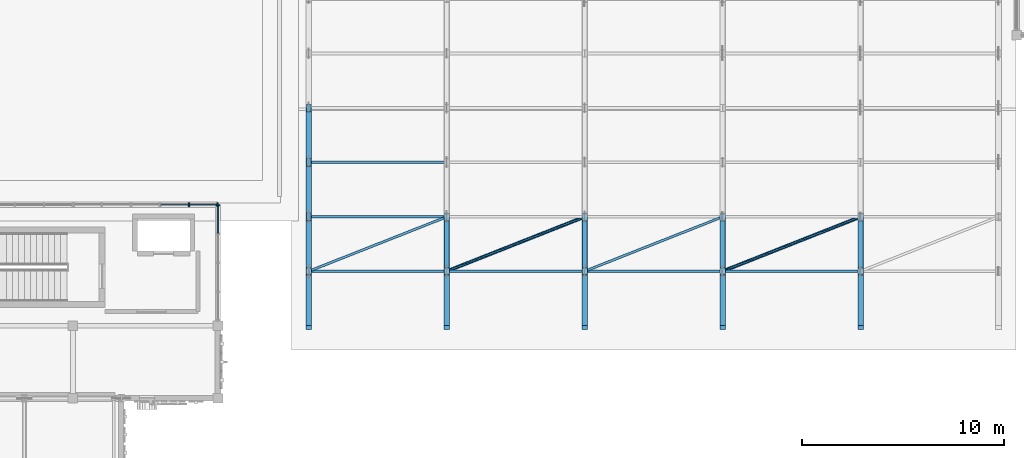
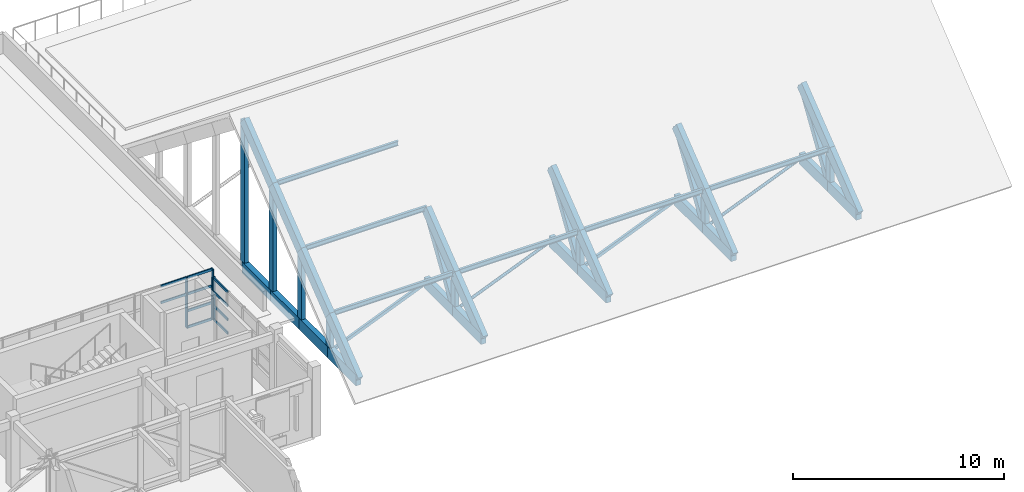
# One storey, part 16 of 79: 59 members, 2 elements without a shape of their own.
"""IFC4 building model written with IfcOpenShell, lengths in metres."""

from ifc_helpers import new_model, si_unit, direction, frame, origin, origin_2d, place, context, subcontext, project, spatial, rectangle, hollow_rectangle, hollow_circle, i_section, extrude, material, material_profile, profile_set, type_object, element, aggregate, save


model = new_model("IFC4")

# Units and contexts
model_context = context("Model", 3, precision=1e-05, world=origin(), true_north=direction((0.0, 1.0)))
body_context = subcontext(model_context, "Body", "Model", "MODEL_VIEW")
ifc_project = project(units=[si_unit("LENGTHUNIT", "METRE"), si_unit("AREAUNIT", "SQUARE_METRE"), si_unit("VOLUMEUNIT", "CUBIC_METRE"), si_unit("PLANEANGLEUNIT", "RADIAN"), si_unit("MASSUNIT", "GRAM", prefix="KILO")], contexts=[model_context])

# Site, building, storey
site_placement = place(None, origin())
site = spatial("IfcSite", under=ifc_project, at=site_placement, CompositionType="ELEMENT")
building_placement = place(site_placement, origin())
building = spatial("IfcBuilding", under=site, at=building_placement, Name="Nzembalo Square Collegiate School", CompositionType="ELEMENT")
storey_placement = place(building_placement, frame((0.0, 0.0, 9.52001953125)))
storey = spatial("IfcBuildingStorey", under=building, at=storey_placement, Name="L02", CompositionType="ELEMENT", Elevation=9.52001953125)

# Curtain wall, members
ifc_material_1 = material(Name="Aluminium 6060-T66", Category="aluminium")
curtain_wall_type_1 = type_object("IfcCurtainWallType", Name="CW-09", PredefinedType="USERDEFINED", material=ifc_material_1)
curtain_wall_1_placement = place(storey_placement, origin())
curtain_wall_1 = element("IfcCurtainWall", 1, at=curtain_wall_1_placement, inside=storey, type_object=curtain_wall_type_1, Name="Curtain wall CW-09 cw:L02:108", ObjectType="UNITISED", PredefinedType="USERDEFINED")
ifc_material_2 = material(Name="Aluminium 6060-T66", Category="aluminium")
ifc_material_profile_1 = material_profile(ifc_material_2, rectangle(XDim=0.06005859375, YDim=0.179931640625, at=origin_2d()), Name="ALU M60x180")
ifc_profile_set_1 = profile_set([ifc_material_profile_1], Name="Aluminium 6060-T66")
member_type_1 = type_object("IfcMemberType", Name="ML01", PredefinedType="MULLION", material=ifc_profile_set_1)
member_1_placement = place(storey_placement, frame((35.760009765625, 88.800048828125, 0.85009765625), z_axis=(0.0, 0.0, 1.0), x_axis=(1.0, 0.0, 0.0)))
member_1 = element("IfcMember", 2, at=member_1_placement, type_object=member_type_1, Name="ML01 mullion 5", PredefinedType="MULLION", context=body_context, shape_type="SweptSolid", body=[
    extrude(rectangle(XDim=0.06005859375, YDim=0.179931640625, at=origin_2d()), origin(), (0.0, 0.0, 1.0), 2.923828125),
])
member_2_placement = place(storey_placement, frame((37.169921875, 88.800048828125, 0.85009765625), z_axis=(0.0, 0.0, 1.0), x_axis=(1.0, 0.0, 0.0)))
member_2 = element("IfcMember", 3, at=member_2_placement, type_object=member_type_1, Name="ML01 mullion 6", PredefinedType="MULLION", context=body_context, shape_type="SweptSolid", body=[
    extrude(rectangle(XDim=0.06005859375, YDim=0.179931640625, at=origin_2d()), origin(), (0.0, 0.0, 1.0), 2.923828125),
])

# Curtain wall, member
ifc_material_3 = material(Name="Aluminium 6060-T66", Category="aluminium")
curtain_wall_type_2 = type_object("IfcCurtainWallType", Name="CW-06", PredefinedType="USERDEFINED", material=ifc_material_3)
curtain_wall_2_placement = place(storey_placement, origin())
curtain_wall_2 = element("IfcCurtainWall", 4, at=curtain_wall_2_placement, inside=storey, type_object=curtain_wall_type_2, Name="Curtain wall CW-06 cw:L02:109", ObjectType="LANCET", PredefinedType="USERDEFINED")
member_3_placement = place(storey_placement, frame((37.199951171875, 88.77001953125, 0.85009765625), z_axis=(0.0, 0.0, 1.0), x_axis=(0.0, 1.0, 0.0)))
member_3 = element("IfcMember", 5, at=member_3_placement, type_object=member_type_1, Name="ML01 mullion 5", PredefinedType="MULLION", context=body_context, shape_type="SweptSolid", body=[
    extrude(rectangle(XDim=0.06005859375, YDim=0.179931640625, at=origin_2d()), origin(), (0.0, 0.0, 1.0), 2.448974609375),
])

# Member
ifc_material_4 = material(Name="Aluminium 6060-T66", Category="aluminium")
ifc_material_profile_2 = material_profile(ifc_material_4, rectangle(XDim=0.06005859375, YDim=0.139892578125, at=origin_2d()), Name="ALU T60x140")
ifc_profile_set_2 = profile_set([ifc_material_profile_2], Name="Aluminium 6060-T66")
member_type_2 = type_object("IfcMemberType", Name="TR01", PredefinedType="USERDEFINED", material=ifc_profile_set_2)
member_4_placement = place(storey_placement, frame((35.7900390625, 88.800048828125, 0.8798828125), z_axis=(1.0, 0.0, 0.0), x_axis=(0.0, 1.0, 0.0)))
member_4 = element("IfcMember", 6, at=member_4_placement, type_object=member_type_2, Name="TR01 transom 1-5", ObjectType="TRANSOM", PredefinedType="USERDEFINED", context=body_context, shape_type="SweptSolid", body=[
    extrude(rectangle(XDim=0.06005859375, YDim=0.139892578125, at=origin_2d()), origin(), (0.0, 0.0, 1.0), 1.349853515625),
])

member_5_placement = place(storey_placement, frame((35.7900390625, 88.800048828125, 1.82470703125), z_axis=(1.0, 0.0, 0.0), x_axis=(0.0, 1.0, 0.0)))
member_5 = element("IfcMember", 7, at=member_5_placement, type_object=member_type_2, Name="TR01 transom 2-5", ObjectType="TRANSOM", PredefinedType="USERDEFINED", context=body_context, shape_type="SweptSolid", body=[
    extrude(rectangle(XDim=0.06005859375, YDim=0.139892578125, at=origin_2d()), origin(), (0.0, 0.0, 1.0), 1.349853515625),
])

member_6_placement = place(storey_placement, frame((34.35009765625, 88.800048828125, 2.79931640625), z_axis=(1.0, 0.0, 0.0), x_axis=(0.0, 1.0, 0.0)))
member_6 = element("IfcMember", 8, at=member_6_placement, type_object=member_type_2, Name="TR01 transom 3-4", ObjectType="TRANSOM", PredefinedType="USERDEFINED", context=body_context, shape_type="SweptSolid", body=[
    extrude(rectangle(XDim=0.06005859375, YDim=0.139892578125, at=origin_2d()), origin(), (0.0, 0.0, 1.0), 1.3798828125),
])

member_7_placement = place(storey_placement, frame((35.7900390625, 88.800048828125, 2.79931640625), z_axis=(1.0, 0.0, 0.0), x_axis=(0.0, 1.0, 0.0)))
member_7 = element("IfcMember", 9, at=member_7_placement, type_object=member_type_2, Name="TR01 transom 3-5", ObjectType="TRANSOM", PredefinedType="USERDEFINED", context=body_context, shape_type="SweptSolid", body=[
    extrude(rectangle(XDim=0.06005859375, YDim=0.139892578125, at=origin_2d()), origin(), (0.0, 0.0, 1.0), 1.349853515625),
])

member_8_placement = place(storey_placement, frame((34.35009765625, 88.800048828125, 3.743896484375), z_axis=(1.0, 0.0, 0.0), x_axis=(0.0, 1.0, 0.0)))
member_8 = element("IfcMember", 10, at=member_8_placement, type_object=member_type_2, Name="TR01 transom 4-4", ObjectType="TRANSOM", PredefinedType="USERDEFINED", context=body_context, shape_type="SweptSolid", body=[
    extrude(rectangle(XDim=0.06005859375, YDim=0.139892578125, at=origin_2d()), origin(), (0.0, 0.0, 1.0), 1.3798828125),
])

member_9_placement = place(storey_placement, frame((35.7900390625, 88.800048828125, 3.743896484375), z_axis=(1.0, 0.0, 0.0), x_axis=(0.0, 1.0, 0.0)))
member_9 = element("IfcMember", 11, at=member_9_placement, type_object=member_type_2, Name="TR01 transom 4-5", ObjectType="TRANSOM", PredefinedType="USERDEFINED", context=body_context, shape_type="SweptSolid", body=[
    extrude(rectangle(XDim=0.06005859375, YDim=0.139892578125, at=origin_2d()), origin(), (0.0, 0.0, 1.0), 1.349853515625),
])

aggregate(curtain_wall_1, [member_1, member_2, member_4, member_5, member_6, member_7, member_8, member_9])

member_10_placement = place(storey_placement, frame((37.199951171875, 87.390380859375, 0.8798828125), z_axis=(0.0, 1.0, 0.0), x_axis=(-1.0, 0.0, 0.0)))
member_10 = element("IfcMember", 12, at=member_10_placement, type_object=member_type_2, Name="TR01 transom 1-4", ObjectType="TRANSOM", PredefinedType="USERDEFINED", context=body_context, shape_type="SweptSolid", body=[
    extrude(rectangle(XDim=0.06005859375, YDim=0.139892578125, at=origin_2d()), origin(), (0.0, 0.0, 1.0), 1.349609375),
])

member_11_placement = place(storey_placement, frame((37.199951171875, 87.390380859375, 1.666259765625), z_axis=(0.0, 1.0, 0.0), x_axis=(-1.0, 0.0, 0.0)))
member_11 = element("IfcMember", 13, at=member_11_placement, type_object=member_type_2, Name="TR01 transom 2-4", ObjectType="TRANSOM", PredefinedType="USERDEFINED", context=body_context, shape_type="SweptSolid", body=[
    extrude(rectangle(XDim=0.06005859375, YDim=0.139892578125, at=origin_2d()), origin(), (0.0, 0.0, 1.0), 1.349609375),
])

member_12_placement = place(storey_placement, frame((37.199951171875, 87.390380859375, 2.482666015625), z_axis=(0.0, 1.0, 0.0), x_axis=(-1.0, 0.0, 0.0)))
member_12 = element("IfcMember", 14, at=member_12_placement, type_object=member_type_2, Name="TR01 transom 3-4", ObjectType="TRANSOM", PredefinedType="USERDEFINED", context=body_context, shape_type="SweptSolid", body=[
    extrude(rectangle(XDim=0.06005859375, YDim=0.139892578125, at=origin_2d()), origin(), (0.0, 0.0, 1.0), 1.349609375),
])

member_13_placement = place(storey_placement, frame((37.199951171875, 87.390380859375, 3.26904296875), z_axis=(0.0, 1.0, 0.0), x_axis=(-1.0, 0.0, 0.0)))
member_13 = element("IfcMember", 15, at=member_13_placement, type_object=member_type_2, Name="TR01 transom 4-4", ObjectType="TRANSOM", PredefinedType="USERDEFINED", context=body_context, shape_type="SweptSolid", body=[
    extrude(rectangle(XDim=0.06005859375, YDim=0.139892578125, at=origin_2d()), origin(), (0.0, 0.0, 1.0), 1.349609375),
])

aggregate(curtain_wall_2, [member_3, member_10, member_11, member_12, member_13])

# Members
ifc_material_5 = material(Name="Steel S355", Category="steel")
ifc_material_profile_3 = material_profile(ifc_material_5, hollow_circle(Radius=0.083984375, WallThickness=0.008056640625, at=origin_2d()), Name="CHS 168x8")
ifc_profile_set_3 = profile_set([ifc_material_profile_3], Name="Steel S355")
member_type_3 = type_object("IfcMemberType", Name="BR01", PredefinedType="BRACE", material=ifc_profile_set_3)
member_14_placement = place(storey_placement, frame((48.5400390625, 85.5, -0.60009765625), z_axis=(0.930154624551, 0.367168046577, 0.0), x_axis=(-0.367168046577, 0.930154624551, 0.0)))
element("IfcMember", 16, at=member_14_placement, inside=storey, type_object=member_type_3, Name="Roof wind brace BR01 GT-DH1-03-1", PredefinedType="BRACE", context=body_context, shape_type="SweptSolid", body=[
    extrude(hollow_circle(Radius=0.083984375, WallThickness=0.008056640625, at=origin_2d()), origin(), (0.0, 0.0, 1.0), 7.353515625),
])
member_15_placement = place(storey_placement, frame((62.219970703125, 85.5, -0.60009765625), z_axis=(0.930159100227, 0.367156708049, 0.0), x_axis=(-0.367156708049, 0.930159100227, 0.0)))
element("IfcMember", 17, at=member_15_placement, inside=storey, type_object=member_type_3, Name="Roof wind brace BR01 GT-DH1-05-1", PredefinedType="BRACE", context=body_context, shape_type="SweptSolid", body=[
    extrude(hollow_circle(Radius=0.083984375, WallThickness=0.008056640625, at=origin_2d()), origin(), (0.0, 0.0, 1.0), 7.353759765625),
])
ifc_material_6 = material(Name="Steel S355", Category="steel")
ifc_material_profile_4 = material_profile(ifc_material_6, hollow_rectangle(XDim=0.1201171875, YDim=0.199951171875, WallThickness=0.008056640625, at=origin_2d()), Name="RHS 200x120x8")
ifc_profile_set_4 = profile_set([ifc_material_profile_4], Name="Steel S355")
member_type_4 = type_object("IfcMemberType", Name="BR02", PredefinedType="BRACE", material=ifc_profile_set_4)
for number, where, z_axis, x_axis, name in (
    (18, (41.699951171875, 85.5, -0.60009765625), (0.930159100227, 0.367156708049, 0.0), (-0.367156708049, 0.930159100227, 0.0), "Roof wind brace BR02 GT-DH1-02-1"),
    (19, (55.3798828125, 85.5, -0.60009765625), (0.930159100227, 0.367156708049, 0.0), (-0.367156708049, 0.930159100227, 0.0), "Roof wind brace BR02 GT-DH1-04-1"),
):
    element("IfcMember", number, at=place(storey_placement, frame(where, z_axis=z_axis, x_axis=x_axis)), inside=storey, type_object=member_type_4, Name=name, PredefinedType="BRACE", context=body_context, shape_type="SweptSolid", body=[
        extrude(hollow_rectangle(XDim=0.1201171875, YDim=0.199951171875, WallThickness=0.008056640625, at=origin_2d()), origin(), (0.0, 0.0, 1.0), 7.353759765625),
    ])
ifc_material_7 = material(Name="Steel S355", Category="steel")
ifc_material_profile_5 = material_profile(ifc_material_7, i_section(OverallWidth=0.135009765625, OverallDepth=0.27001953125, WebThickness=0.006591796875, FlangeThickness=0.01025390625, at=origin_2d()), Name="IPE 270")
ifc_profile_set_5 = profile_set([ifc_material_profile_5], Name="Steel S355")
member_type_5 = type_object("IfcMemberType", Name="PR02", PredefinedType="PURLIN", material=ifc_profile_set_5)
for number, where, z_axis, x_axis, name in (
    (20, (41.699951171875, 85.5, 1.56494140625), (1.0, 0.0, 0.0), (0.0, 1.0, 0.0), "Roof purlin PR02 GT-DH1-02-1"),
    (21, (41.699951171875, 88.199951171875, 3.68505859375), (1.0, 0.0, 0.0), (0.0, 1.0, 0.0), "Roof purlin PR02 GT-DH1-02-2"),
    (22, (41.699951171875, 90.89990234375, 5.804931640625), (1.0, 0.0, 0.0), (0.0, 1.0, 0.0), "Roof purlin PR02 GT-DH1-02-3"),
):
    element("IfcMember", number, at=place(storey_placement, frame(where, z_axis=z_axis, x_axis=x_axis)), inside=storey, type_object=member_type_5, Name=name, PredefinedType="PURLIN", context=body_context, shape_type="SweptSolid", body=[
        extrude(i_section(OverallWidth=0.135009765625, OverallDepth=0.27001953125, WebThickness=0.006591796875, FlangeThickness=0.01025390625, at=origin_2d()), origin(), (0.0, 0.0, 1.0), 6.840087890625),
    ])
member_16_placement = place(storey_placement, frame((48.5400390625, 85.5, 1.56494140625), z_axis=(1.0, 0.0, 0.0), x_axis=(0.0, 1.0, 0.0)))
element("IfcMember", 23, at=member_16_placement, inside=storey, type_object=member_type_5, Name="Roof purlin PR02 GT-DH1-03-1", PredefinedType="PURLIN", context=body_context, shape_type="SweptSolid", body=[
    extrude(i_section(OverallWidth=0.135009765625, OverallDepth=0.27001953125, WebThickness=0.006591796875, FlangeThickness=0.01025390625, at=origin_2d()), origin(), (0.0, 0.0, 1.0), 6.83984375),
])
for number, where, z_axis, x_axis, name in (
    (24, (55.3798828125, 85.5, 1.56494140625), (1.0, 0.0, 0.0), (0.0, 1.0, 0.0), "Roof purlin PR02 GT-DH1-04-1"),
    (25, (62.219970703125, 85.5, 1.56494140625), (1.0, 0.0, 0.0), (0.0, 1.0, 0.0), "Roof purlin PR02 GT-DH1-05-1"),
):
    element("IfcMember", number, at=place(storey_placement, frame(where, z_axis=z_axis, x_axis=x_axis)), inside=storey, type_object=member_type_5, Name=name, PredefinedType="PURLIN", context=body_context, shape_type="SweptSolid", body=[
        extrude(i_section(OverallWidth=0.135009765625, OverallDepth=0.27001953125, WebThickness=0.006591796875, FlangeThickness=0.01025390625, at=origin_2d()), origin(), (0.0, 0.0, 1.0), 6.840087890625),
    ])
ifc_material_8 = material(Name="Glulam GL32h", Category="wood")
ifc_material_profile_6 = material_profile(ifc_material_8, rectangle(XDim=0.280029296875, YDim=0.639892578125, at=origin_2d()), Name="GL32h 280x640")
ifc_profile_set_6 = profile_set([ifc_material_profile_6], Name="Glulam GL32h")
member_type_6 = type_object("IfcMemberType", Name="TC02", PredefinedType="CHORD", material=ifc_profile_set_6)
member_17_placement = place(storey_placement, frame((41.699951171875, 82.800048828125, -0.60009765625), z_axis=(0.0, 0.786498457067, 0.617592241719), x_axis=(-1.0, 0.0, 0.0)))
element("IfcMember", 26, at=member_17_placement, inside=storey, type_object=member_type_6, Name="GT-DH1-01 top chord 1", PredefinedType="CHORD", context=body_context, shape_type="SweptSolid", body=[
    extrude(rectangle(XDim=0.280029296875, YDim=0.639892578125, at=origin_2d()), origin(), (0.0, 0.0, 1.0), 3.432861328125),
])
member_18_placement = place(storey_placement, frame((41.699951171875, 82.800048828125, -0.60009765625), z_axis=(0.0, 1.0, 0.0), x_axis=(-1.0, 0.0, 0.0)))
element("IfcMember", 27, at=member_18_placement, inside=storey, type_object=member_type_6, Name="GT-DH1-01 bottom chord 1", PredefinedType="CHORD", context=body_context, shape_type="SweptSolid", body=[
    extrude(rectangle(XDim=0.280029296875, YDim=0.639892578125, at=origin_2d()), origin(), (0.0, 0.0, 1.0), 2.699951171875),
])
member_19_placement = place(storey_placement, frame((41.699951171875, 85.5, 1.52001953125), z_axis=(0.0, 0.786533002077, 0.617548246409), x_axis=(-1.0, 0.0, 0.0)))
element("IfcMember", 28, at=member_19_placement, inside=storey, type_object=member_type_6, Name="GT-DH1-01 top chord 2", PredefinedType="CHORD", context=body_context, shape_type="SweptSolid", body=[
    extrude(rectangle(XDim=0.280029296875, YDim=0.639892578125, at=origin_2d()), origin(), (0.0, 0.0, 1.0), 3.4326171875),
])
member_20_placement = place(storey_placement, frame((41.699951171875, 85.5, -0.60009765625), z_axis=(0.0, 1.0, 0.0), x_axis=(-1.0, 0.0, 0.0)))
element("IfcMember", 29, at=member_20_placement, inside=storey, type_object=member_type_6, Name="GT-DH1-01 bottom chord 2", PredefinedType="CHORD", context=body_context, shape_type="SweptSolid", body=[
    extrude(rectangle(XDim=0.280029296875, YDim=0.639892578125, at=origin_2d()), origin(), (0.0, 0.0, 1.0), 2.699951171875),
])
member_21_placement = place(storey_placement, frame((41.699951171875, 88.199951171875, 3.639892578125), z_axis=(0.0, 0.786498457067, 0.617592241719), x_axis=(-1.0, 0.0, 0.0)))
element("IfcMember", 30, at=member_21_placement, inside=storey, type_object=member_type_6, Name="GT-DH1-01 top chord 3", PredefinedType="CHORD", context=body_context, shape_type="SweptSolid", body=[
    extrude(rectangle(XDim=0.280029296875, YDim=0.639892578125, at=origin_2d()), origin(), (0.0, 0.0, 1.0), 3.432861328125),
])
member_22_placement = place(storey_placement, frame((41.699951171875, 88.199951171875, -0.60009765625), z_axis=(0.0, 1.0, 0.0), x_axis=(-1.0, 0.0, 0.0)))
element("IfcMember", 31, at=member_22_placement, inside=storey, type_object=member_type_6, Name="GT-DH1-01 bottom chord 3", PredefinedType="CHORD", context=body_context, shape_type="SweptSolid", body=[
    extrude(rectangle(XDim=0.280029296875, YDim=0.639892578125, at=origin_2d()), origin(), (0.0, 0.0, 1.0), 2.699951171875),
])
member_23_placement = place(storey_placement, frame((41.699951171875, 90.89990234375, 5.760009765625), z_axis=(0.0, 0.786560123124, 0.617513702449), x_axis=(-1.0, 0.0, 0.0)))
element("IfcMember", 32, at=member_23_placement, inside=storey, type_object=member_type_6, Name="GT-DH1-01 top chord 4", PredefinedType="CHORD", context=body_context, shape_type="SweptSolid", body=[
    extrude(rectangle(XDim=0.280029296875, YDim=0.639892578125, at=origin_2d()), origin(), (0.0, 0.0, 1.0), 3.432861328125),
])
member_24_placement = place(storey_placement, frame((41.699951171875, 90.89990234375, -0.60009765625), z_axis=(0.0, 1.0, 0.0), x_axis=(-1.0, 0.0, 0.0)))
element("IfcMember", 33, at=member_24_placement, inside=storey, type_object=member_type_6, Name="GT-DH1-01 bottom chord 4", PredefinedType="CHORD", context=body_context, shape_type="SweptSolid", body=[
    extrude(rectangle(XDim=0.280029296875, YDim=0.639892578125, at=origin_2d()), origin(), (0.0, 0.0, 1.0), 2.7001953125),
])
member_25_placement = place(storey_placement, frame((48.5400390625, 82.800048828125, -0.60009765625), z_axis=(0.0, 0.786498457067, 0.617592241719), x_axis=(-1.0, 0.0, 0.0)))
element("IfcMember", 34, at=member_25_placement, inside=storey, type_object=member_type_6, Name="GT-DH1-02 top chord 1", PredefinedType="CHORD", context=body_context, shape_type="SweptSolid", body=[
    extrude(rectangle(XDim=0.280029296875, YDim=0.639892578125, at=origin_2d()), origin(), (0.0, 0.0, 1.0), 3.432861328125),
])
member_26_placement = place(storey_placement, frame((48.5400390625, 82.800048828125, -0.60009765625), z_axis=(0.0, 1.0, 0.0), x_axis=(-1.0, 0.0, 0.0)))
element("IfcMember", 35, at=member_26_placement, inside=storey, type_object=member_type_6, Name="GT-DH1-02 bottom chord 1", PredefinedType="CHORD", context=body_context, shape_type="SweptSolid", body=[
    extrude(rectangle(XDim=0.280029296875, YDim=0.639892578125, at=origin_2d()), origin(), (0.0, 0.0, 1.0), 2.699951171875),
])
member_27_placement = place(storey_placement, frame((48.5400390625, 85.5, 1.52001953125), z_axis=(0.0, 0.786533002077, 0.617548246409), x_axis=(-1.0, 0.0, 0.0)))
element("IfcMember", 36, at=member_27_placement, inside=storey, type_object=member_type_6, Name="GT-DH1-02 top chord 2", PredefinedType="CHORD", context=body_context, shape_type="SweptSolid", body=[
    extrude(rectangle(XDim=0.280029296875, YDim=0.639892578125, at=origin_2d()), origin(), (0.0, 0.0, 1.0), 3.4326171875),
])
member_28_placement = place(storey_placement, frame((48.5400390625, 85.5, -0.60009765625), z_axis=(0.0, 1.0, 0.0), x_axis=(-1.0, 0.0, 0.0)))
element("IfcMember", 37, at=member_28_placement, inside=storey, type_object=member_type_6, Name="GT-DH1-02 bottom chord 2", PredefinedType="CHORD", context=body_context, shape_type="SweptSolid", body=[
    extrude(rectangle(XDim=0.280029296875, YDim=0.639892578125, at=origin_2d()), origin(), (0.0, 0.0, 1.0), 2.699951171875),
])
member_29_placement = place(storey_placement, frame((55.3798828125, 82.800048828125, -0.60009765625), z_axis=(0.0, 0.786498457067, 0.617592241719), x_axis=(-1.0, 0.0, 0.0)))
element("IfcMember", 38, at=member_29_placement, inside=storey, type_object=member_type_6, Name="GT-DH1-03 top chord 1", PredefinedType="CHORD", context=body_context, shape_type="SweptSolid", body=[
    extrude(rectangle(XDim=0.280029296875, YDim=0.639892578125, at=origin_2d()), origin(), (0.0, 0.0, 1.0), 3.432861328125),
])
member_30_placement = place(storey_placement, frame((55.3798828125, 82.800048828125, -0.60009765625), z_axis=(0.0, 1.0, 0.0), x_axis=(-1.0, 0.0, 0.0)))
element("IfcMember", 39, at=member_30_placement, inside=storey, type_object=member_type_6, Name="GT-DH1-03 bottom chord 1", PredefinedType="CHORD", context=body_context, shape_type="SweptSolid", body=[
    extrude(rectangle(XDim=0.280029296875, YDim=0.639892578125, at=origin_2d()), origin(), (0.0, 0.0, 1.0), 2.699951171875),
])
member_31_placement = place(storey_placement, frame((55.3798828125, 85.5, 1.52001953125), z_axis=(0.0, 0.786533002077, 0.617548246409), x_axis=(-1.0, 0.0, 0.0)))
element("IfcMember", 40, at=member_31_placement, inside=storey, type_object=member_type_6, Name="GT-DH1-03 top chord 2", PredefinedType="CHORD", context=body_context, shape_type="SweptSolid", body=[
    extrude(rectangle(XDim=0.280029296875, YDim=0.639892578125, at=origin_2d()), origin(), (0.0, 0.0, 1.0), 3.4326171875),
])
member_32_placement = place(storey_placement, frame((55.3798828125, 85.5, -0.60009765625), z_axis=(0.0, 1.0, 0.0), x_axis=(-1.0, 0.0, 0.0)))
element("IfcMember", 41, at=member_32_placement, inside=storey, type_object=member_type_6, Name="GT-DH1-03 bottom chord 2", PredefinedType="CHORD", context=body_context, shape_type="SweptSolid", body=[
    extrude(rectangle(XDim=0.280029296875, YDim=0.639892578125, at=origin_2d()), origin(), (0.0, 0.0, 1.0), 2.699951171875),
])
member_33_placement = place(storey_placement, frame((62.219970703125, 82.800048828125, -0.60009765625), z_axis=(0.0, 0.786498457067, 0.617592241719), x_axis=(-1.0, 0.0, 0.0)))
element("IfcMember", 42, at=member_33_placement, inside=storey, type_object=member_type_6, Name="GT-DH1-04 top chord 1", PredefinedType="CHORD", context=body_context, shape_type="SweptSolid", body=[
    extrude(rectangle(XDim=0.280029296875, YDim=0.639892578125, at=origin_2d()), origin(), (0.0, 0.0, 1.0), 3.432861328125),
])
member_34_placement = place(storey_placement, frame((62.219970703125, 82.800048828125, -0.60009765625), z_axis=(0.0, 1.0, 0.0), x_axis=(-1.0, 0.0, 0.0)))
element("IfcMember", 43, at=member_34_placement, inside=storey, type_object=member_type_6, Name="GT-DH1-04 bottom chord 1", PredefinedType="CHORD", context=body_context, shape_type="SweptSolid", body=[
    extrude(rectangle(XDim=0.280029296875, YDim=0.639892578125, at=origin_2d()), origin(), (0.0, 0.0, 1.0), 2.699951171875),
])
member_35_placement = place(storey_placement, frame((62.219970703125, 85.5, 1.52001953125), z_axis=(0.0, 0.786533002077, 0.617548246409), x_axis=(-1.0, 0.0, 0.0)))
element("IfcMember", 44, at=member_35_placement, inside=storey, type_object=member_type_6, Name="GT-DH1-04 top chord 2", PredefinedType="CHORD", context=body_context, shape_type="SweptSolid", body=[
    extrude(rectangle(XDim=0.280029296875, YDim=0.639892578125, at=origin_2d()), origin(), (0.0, 0.0, 1.0), 3.4326171875),
])
member_36_placement = place(storey_placement, frame((62.219970703125, 85.5, -0.60009765625), z_axis=(0.0, 1.0, 0.0), x_axis=(-1.0, 0.0, 0.0)))
element("IfcMember", 45, at=member_36_placement, inside=storey, type_object=member_type_6, Name="GT-DH1-04 bottom chord 2", PredefinedType="CHORD", context=body_context, shape_type="SweptSolid", body=[
    extrude(rectangle(XDim=0.280029296875, YDim=0.639892578125, at=origin_2d()), origin(), (0.0, 0.0, 1.0), 2.699951171875),
])
member_37_placement = place(storey_placement, frame((69.06005859375, 82.800048828125, -0.60009765625), z_axis=(0.0, 0.786498457067, 0.617592241719), x_axis=(-1.0, 0.0, 0.0)))
element("IfcMember", 46, at=member_37_placement, inside=storey, type_object=member_type_6, Name="GT-DH1-05 top chord 1", PredefinedType="CHORD", context=body_context, shape_type="SweptSolid", body=[
    extrude(rectangle(XDim=0.280029296875, YDim=0.639892578125, at=origin_2d()), origin(), (0.0, 0.0, 1.0), 3.432861328125),
])
member_38_placement = place(storey_placement, frame((69.06005859375, 82.800048828125, -0.60009765625), z_axis=(0.0, 1.0, 0.0), x_axis=(-1.0, 0.0, 0.0)))
element("IfcMember", 47, at=member_38_placement, inside=storey, type_object=member_type_6, Name="GT-DH1-05 bottom chord 1", PredefinedType="CHORD", context=body_context, shape_type="SweptSolid", body=[
    extrude(rectangle(XDim=0.280029296875, YDim=0.639892578125, at=origin_2d()), origin(), (0.0, 0.0, 1.0), 2.699951171875),
])
member_39_placement = place(storey_placement, frame((69.06005859375, 85.5, 1.52001953125), z_axis=(0.0, 0.786533002077, 0.617548246409), x_axis=(-1.0, 0.0, 0.0)))
element("IfcMember", 48, at=member_39_placement, inside=storey, type_object=member_type_6, Name="GT-DH1-05 top chord 2", PredefinedType="CHORD", context=body_context, shape_type="SweptSolid", body=[
    extrude(rectangle(XDim=0.280029296875, YDim=0.639892578125, at=origin_2d()), origin(), (0.0, 0.0, 1.0), 3.4326171875),
])
member_40_placement = place(storey_placement, frame((69.06005859375, 85.5, -0.60009765625), z_axis=(0.0, 1.0, 0.0), x_axis=(-1.0, 0.0, 0.0)))
element("IfcMember", 49, at=member_40_placement, inside=storey, type_object=member_type_6, Name="GT-DH1-05 bottom chord 2", PredefinedType="CHORD", context=body_context, shape_type="SweptSolid", body=[
    extrude(rectangle(XDim=0.280029296875, YDim=0.639892578125, at=origin_2d()), origin(), (0.0, 0.0, 1.0), 2.699951171875),
])
ifc_material_9 = material(Name="Glulam GL32h", Category="wood")
ifc_material_profile_7 = material_profile(ifc_material_9, rectangle(XDim=0.239990234375, YDim=0.360107421875, at=origin_2d()), Name="GL32h 240x360")
ifc_profile_set_7 = profile_set([ifc_material_profile_7], Name="Glulam GL32h")
member_type_7 = type_object("IfcMemberType", Name="TD02", PredefinedType="BRACE", material=ifc_profile_set_7)
for number, where, z_axis, x_axis, name in (
    (50, (48.5400390625, 85.5, -0.60009765625), (0.0, 0.537126885437, 0.843501457581), (-1.0, 0.0, 0.0), "GT-DH1-02 web diagonal 1"),
    (51, (55.3798828125, 85.5, -0.60009765625), (0.0, 0.537126885437, 0.843501457581), (-1.0, 0.0, 0.0), "GT-DH1-03 web diagonal 1"),
    (52, (62.219970703125, 85.5, -0.60009765625), (0.0, 0.537126885437, 0.843501457581), (-1.0, 0.0, 0.0), "GT-DH1-04 web diagonal 1"),
    (53, (69.06005859375, 85.5, -0.60009765625), (0.0, 0.537126885437, 0.843501457581), (-1.0, 0.0, 0.0), "GT-DH1-05 web diagonal 1"),
):
    element("IfcMember", number, at=place(storey_placement, frame(where, z_axis=z_axis, x_axis=x_axis)), inside=storey, type_object=member_type_7, Name=name, PredefinedType="BRACE", context=body_context, shape_type="SweptSolid", body=[
        extrude(rectangle(XDim=0.239990234375, YDim=0.360107421875, at=origin_2d()), origin(), (0.0, 0.0, 1.0), 5.026611328125),
    ])
ifc_material_10 = material(Name="Glulam GL32h", Category="wood")
ifc_material_profile_8 = material_profile(ifc_material_10, rectangle(XDim=0.239990234375, YDim=0.360107421875, at=origin_2d()), Name="GL32h 240x360")
ifc_profile_set_8 = profile_set([ifc_material_profile_8], Name="Glulam GL32h")
member_type_8 = type_object("IfcMemberType", Name="TP01", PredefinedType="POST", material=ifc_profile_set_8)
member_41_placement = place(storey_placement, frame((41.699951171875, 85.5, -0.60009765625), z_axis=(0.0, 0.0, 1.0), x_axis=(1.0, 0.0, 0.0)))
element("IfcMember", 54, at=member_41_placement, inside=storey, type_object=member_type_8, Name="GT-DH1-01 vertical post 1", PredefinedType="POST", context=body_context, shape_type="SweptSolid", body=[
    extrude(rectangle(XDim=0.239990234375, YDim=0.360107421875, at=origin_2d()), origin(), (0.0, 0.0, 1.0), 2.1201171875),
])
member_42_placement = place(storey_placement, frame((41.699951171875, 88.199951171875, -0.60009765625), z_axis=(0.0, 0.0, 1.0), x_axis=(1.0, 0.0, 0.0)))
element("IfcMember", 55, at=member_42_placement, inside=storey, type_object=member_type_8, Name="GT-DH1-01 vertical post 2", PredefinedType="POST", context=body_context, shape_type="SweptSolid", body=[
    extrude(rectangle(XDim=0.239990234375, YDim=0.360107421875, at=origin_2d()), origin(), (0.0, 0.0, 1.0), 4.239990234375),
])
member_43_placement = place(storey_placement, frame((41.699951171875, 90.89990234375, -0.60009765625), z_axis=(0.0, 0.0, 1.0), x_axis=(1.0, 0.0, 0.0)))
element("IfcMember", 56, at=member_43_placement, inside=storey, type_object=member_type_8, Name="GT-DH1-01 vertical post 3", PredefinedType="POST", context=body_context, shape_type="SweptSolid", body=[
    extrude(rectangle(XDim=0.239990234375, YDim=0.360107421875, at=origin_2d()), origin(), (0.0, 0.0, 1.0), 6.360107421875),
])
member_44_placement = place(storey_placement, frame((41.699951171875, 93.60009765625, -0.60009765625), z_axis=(0.0, 0.0, 1.0), x_axis=(1.0, 0.0, 0.0)))
element("IfcMember", 57, at=member_44_placement, inside=storey, type_object=member_type_8, Name="GT-DH1-01 vertical post 4", PredefinedType="POST", context=body_context, shape_type="SweptSolid", body=[
    extrude(rectangle(XDim=0.239990234375, YDim=0.360107421875, at=origin_2d()), origin(), (0.0, 0.0, 1.0), 8.47998046875),
])
for number, where, z_axis, x_axis, name in (
    (58, (48.5400390625, 85.5, -0.60009765625), (0.0, 0.0, 1.0), (1.0, 0.0, 0.0), "GT-DH1-02 vertical post 1"),
    (59, (55.3798828125, 85.5, -0.60009765625), (0.0, 0.0, 1.0), (1.0, 0.0, 0.0), "GT-DH1-03 vertical post 1"),
    (60, (62.219970703125, 85.5, -0.60009765625), (0.0, 0.0, 1.0), (1.0, 0.0, 0.0), "GT-DH1-04 vertical post 1"),
    (61, (69.06005859375, 85.5, -0.60009765625), (0.0, 0.0, 1.0), (1.0, 0.0, 0.0), "GT-DH1-05 vertical post 1"),
):
    element("IfcMember", number, at=place(storey_placement, frame(where, z_axis=z_axis, x_axis=x_axis)), inside=storey, type_object=member_type_8, Name=name, PredefinedType="POST", context=body_context, shape_type="SweptSolid", body=[
        extrude(rectangle(XDim=0.239990234375, YDim=0.360107421875, at=origin_2d()), origin(), (0.0, 0.0, 1.0), 2.1201171875),
    ])

save(model, "model.ifc")
